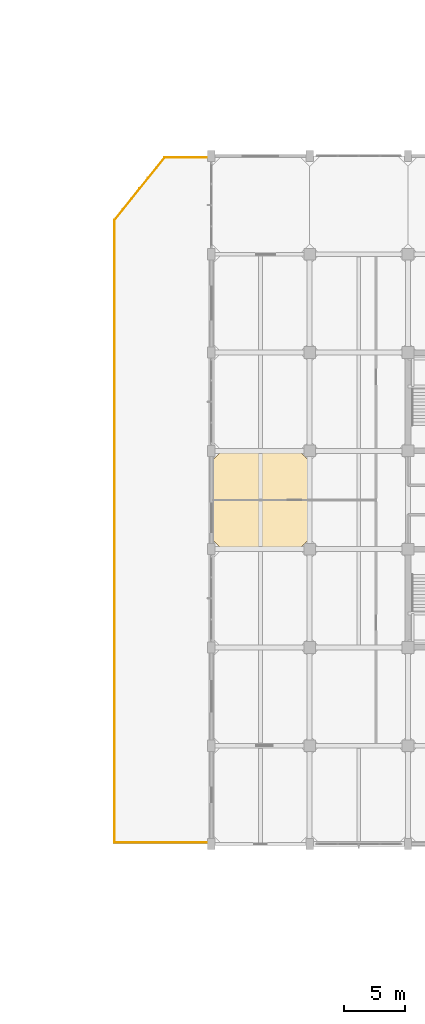
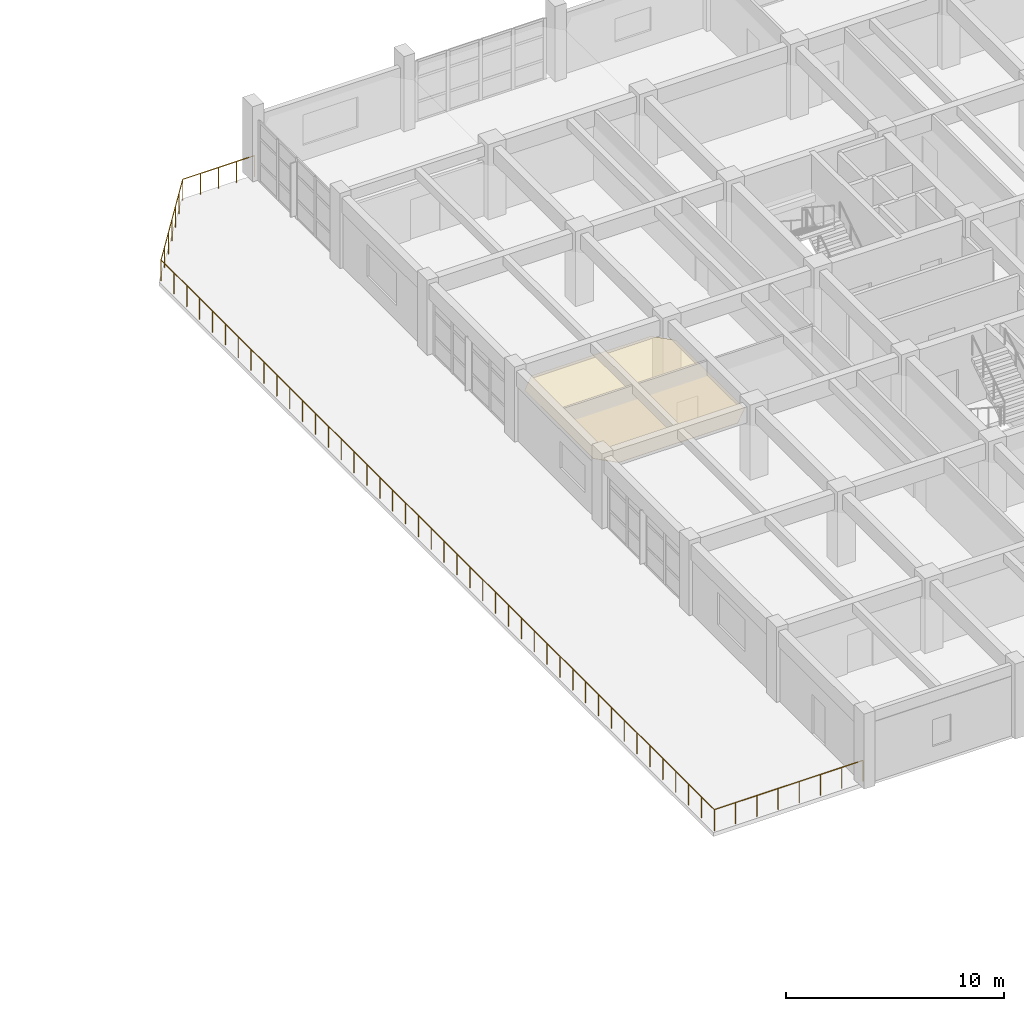
# One storey, part 31 of 35: 1 covering, 1 railing.
"""IFC4 building model written with IfcOpenShell, lengths in metres."""

from ifc_helpers import new_model, si_unit, direction, frame, origin, origin_2d, place, context, subcontext, project, spatial, polyline, circle, outline, extrude, material, layer, layer_set, type_object, element, save


model = new_model("IFC4")

# Units and contexts
model_context = context("Model", 3, precision=1e-05, world=origin(), true_north=direction((0.0, 1.0)))
body_context = subcontext(model_context, "Body", "Model", "MODEL_VIEW")
ifc_project = project(units=[si_unit("LENGTHUNIT", "METRE"), si_unit("AREAUNIT", "SQUARE_METRE"), si_unit("VOLUMEUNIT", "CUBIC_METRE"), si_unit("PLANEANGLEUNIT", "RADIAN"), si_unit("MASSUNIT", "GRAM", prefix="KILO")], contexts=[model_context])

# Site, building, storey
site_placement = place(None, origin())
site = spatial("IfcSite", under=ifc_project, at=site_placement, CompositionType="ELEMENT")
building_placement = place(site_placement, origin())
building = spatial("IfcBuilding", under=site, at=building_placement, Name="Canggui Botanical Conservatory", CompositionType="ELEMENT")
storey_placement = place(building_placement, frame((0.0, 0.0, 15.0)))
storey = spatial("IfcBuildingStorey", under=building, at=storey_placement, Name="L04", CompositionType="ELEMENT", Elevation=15.0)

# Covering
ifc_material_1 = material(Name="Perforated Gypsum Acoustic Panel")
ifc_layer = layer(ifc_material_1, 0.02001953125, Name="Perforated Gypsum Acoustic Panel")
ifc_layer_set = layer_set([ifc_layer], Name="Perforated Gypsum Acoustic Panel")
covering_type = type_object("IfcCoveringType", Name="COV-CEIL-20", PredefinedType="CEILING", material=ifc_layer_set)
covering_placement = place(storey_placement, frame((0.0, 0.0, 3.030029296875)))
element("IfcCovering", 1, at=covering_placement, inside=storey, type_object=covering_type, Name="Suspended Acoustic Ceiling L04-138-50", PredefinedType="CEILING", context=body_context, shape_type="SweptSolid", body=[
    extrude(outline(polyline([(138.85009765625, 50.0), (145.14990234375, 50.0), (146.0, 50.85009765625), (146.0, 57.14990234375), (145.14990234375, 58.0), (138.85009765625, 58.0), (138.0, 57.14990234375), (138.0, 50.85009765625), (138.85009765625, 50.0)])), origin(), (0.0, 0.0, 1.0), 0.02001953125),
])

# Railing
ifc_material_2 = material(Name="Laminated Safety Glass", Category="glass")
railing_type = type_object("IfcRailingType", Name="RAIL-TERR-1200", PredefinedType="BALUSTRADE", material=ifc_material_2)
railing_placement = place(storey_placement, frame((137.97998046875, 26.1201171875, 0.0)))
element("IfcRailing", 2, at=railing_placement, inside=storey, type_object=railing_type, Name="Sky Terrace Laminated Glass Balustrade L04", PredefinedType="BALUSTRADE", context=body_context, shape_type="SweptSolid", body=[
    extrude(circle(Radius=0.02392578125, at=origin_2d()), frame((0.0, 0.0, 1.17578125), z_axis=(-1.0, 0.0, 0.0), x_axis=(0.0, -1.0, 0.0)), (0.0, 0.0, 1.0), 7.85986328125),
    extrude(circle(Radius=0.02392578125, at=origin_2d()), frame((-7.85986328125, 0.0, 1.17578125), z_axis=(0.0, 1.0, 0.0), x_axis=(-1.0, 0.0, 0.0)), (0.0, 0.0, 1.0), 50.679931640625),
    extrude(circle(Radius=0.02392578125, at=origin_2d()), frame((-7.85986328125, 50.679931640625, 1.17578125), z_axis=(0.626188198729, 0.779671943687, 0.0), x_axis=(-0.779671943687, 0.626188198729, 0.0)), (0.0, 0.0, 1.0), 6.515380859375),
    extrude(circle(Radius=0.02392578125, at=origin_2d()), frame((-3.780029296875, 55.759765625, 1.17578125), z_axis=(1.0, 0.0, 0.0), x_axis=(0.0, 1.0, 0.0)), (0.0, 0.0, 1.0), 3.780029296875),
    extrude(circle(Radius=0.02099609375, at=origin_2d()), origin(), (0.0, 0.0, 1.0), 1.15185546875),
    extrude(circle(Radius=0.02099609375, at=origin_2d()), frame((-1.122802734375, 0.0, 0.0)), (0.0, 0.0, 1.0), 1.15185546875),
    extrude(circle(Radius=0.02099609375, at=origin_2d()), frame((-2.24560546875, 0.0, 0.0)), (0.0, 0.0, 1.0), 1.15185546875),
    extrude(circle(Radius=0.02099609375, at=origin_2d()), frame((-3.368408203125, 0.0, 0.0)), (0.0, 0.0, 1.0), 1.15185546875),
    extrude(circle(Radius=0.02099609375, at=origin_2d()), frame((-4.491455078125, 0.0, 0.0)), (0.0, 0.0, 1.0), 1.15185546875),
    extrude(circle(Radius=0.02099609375, at=origin_2d()), frame((-5.6142578125, 0.0, 0.0)), (0.0, 0.0, 1.0), 1.15185546875),
    extrude(circle(Radius=0.02099609375, at=origin_2d()), frame((-6.737060546875, 0.0, 0.0)), (0.0, 0.0, 1.0), 1.15185546875),
    extrude(circle(Radius=0.02099609375, at=origin_2d()), frame((-7.85986328125, 0.0, 0.0)), (0.0, 0.0, 1.0), 1.15185546875),
    extrude(circle(Radius=0.02099609375, at=origin_2d()), frame((-7.85986328125, 1.1787109375, 0.0)), (0.0, 0.0, 1.0), 1.15185546875),
    extrude(circle(Radius=0.02099609375, at=origin_2d()), frame((-7.85986328125, 2.357177734375, 0.0)), (0.0, 0.0, 1.0), 1.15185546875),
    extrude(circle(Radius=0.02099609375, at=origin_2d()), frame((-7.85986328125, 3.535888671875, 0.0)), (0.0, 0.0, 1.0), 1.15185546875),
    extrude(circle(Radius=0.02099609375, at=origin_2d()), frame((-7.85986328125, 4.71435546875, 0.0)), (0.0, 0.0, 1.0), 1.15185546875),
    extrude(circle(Radius=0.02099609375, at=origin_2d()), frame((-7.85986328125, 5.89306640625, 0.0)), (0.0, 0.0, 1.0), 1.15185546875),
    extrude(circle(Radius=0.02099609375, at=origin_2d()), frame((-7.85986328125, 7.071533203125, 0.0)), (0.0, 0.0, 1.0), 1.15185546875),
    extrude(circle(Radius=0.02099609375, at=origin_2d()), frame((-7.85986328125, 8.250244140625, 0.0)), (0.0, 0.0, 1.0), 1.15185546875),
    extrude(circle(Radius=0.02099609375, at=origin_2d()), frame((-7.85986328125, 9.4287109375, 0.0)), (0.0, 0.0, 1.0), 1.15185546875),
    extrude(circle(Radius=0.02099609375, at=origin_2d()), frame((-7.85986328125, 10.607421875, 0.0)), (0.0, 0.0, 1.0), 1.15185546875),
    extrude(circle(Radius=0.02099609375, at=origin_2d()), frame((-7.85986328125, 11.7861328125, 0.0)), (0.0, 0.0, 1.0), 1.15185546875),
    extrude(circle(Radius=0.02099609375, at=origin_2d()), frame((-7.85986328125, 12.964599609375, 0.0)), (0.0, 0.0, 1.0), 1.15185546875),
    extrude(circle(Radius=0.02099609375, at=origin_2d()), frame((-7.85986328125, 14.143310546875, 0.0)), (0.0, 0.0, 1.0), 1.15185546875),
    extrude(circle(Radius=0.02099609375, at=origin_2d()), frame((-7.85986328125, 15.32177734375, 0.0)), (0.0, 0.0, 1.0), 1.15185546875),
    extrude(circle(Radius=0.02099609375, at=origin_2d()), frame((-7.85986328125, 16.50048828125, 0.0)), (0.0, 0.0, 1.0), 1.15185546875),
    extrude(circle(Radius=0.02099609375, at=origin_2d()), frame((-7.85986328125, 17.678955078125, 0.0)), (0.0, 0.0, 1.0), 1.15185546875),
    extrude(circle(Radius=0.02099609375, at=origin_2d()), frame((-7.85986328125, 18.857666015625, 0.0)), (0.0, 0.0, 1.0), 1.15185546875),
    extrude(circle(Radius=0.02099609375, at=origin_2d()), frame((-7.85986328125, 20.0361328125, 0.0)), (0.0, 0.0, 1.0), 1.15185546875),
    extrude(circle(Radius=0.02099609375, at=origin_2d()), frame((-7.85986328125, 21.21484375, 0.0)), (0.0, 0.0, 1.0), 1.15185546875),
    extrude(circle(Radius=0.02099609375, at=origin_2d()), frame((-7.85986328125, 22.3935546875, 0.0)), (0.0, 0.0, 1.0), 1.15185546875),
    extrude(circle(Radius=0.02099609375, at=origin_2d()), frame((-7.85986328125, 23.572021484375, 0.0)), (0.0, 0.0, 1.0), 1.15185546875),
    extrude(circle(Radius=0.02099609375, at=origin_2d()), frame((-7.85986328125, 24.750732421875, 0.0)), (0.0, 0.0, 1.0), 1.15185546875),
    extrude(circle(Radius=0.02099609375, at=origin_2d()), frame((-7.85986328125, 25.92919921875, 0.0)), (0.0, 0.0, 1.0), 1.15185546875),
    extrude(circle(Radius=0.02099609375, at=origin_2d()), frame((-7.85986328125, 27.10791015625, 0.0)), (0.0, 0.0, 1.0), 1.15185546875),
    extrude(circle(Radius=0.02099609375, at=origin_2d()), frame((-7.85986328125, 28.286376953125, 0.0)), (0.0, 0.0, 1.0), 1.15185546875),
    extrude(circle(Radius=0.02099609375, at=origin_2d()), frame((-7.85986328125, 29.465087890625, 0.0)), (0.0, 0.0, 1.0), 1.15185546875),
    extrude(circle(Radius=0.02099609375, at=origin_2d()), frame((-7.85986328125, 30.643798828125, 0.0)), (0.0, 0.0, 1.0), 1.15185546875),
    extrude(circle(Radius=0.02099609375, at=origin_2d()), frame((-7.85986328125, 31.822265625, 0.0)), (0.0, 0.0, 1.0), 1.15185546875),
    extrude(circle(Radius=0.02099609375, at=origin_2d()), frame((-7.85986328125, 33.0009765625, 0.0)), (0.0, 0.0, 1.0), 1.15185546875),
    extrude(circle(Radius=0.02099609375, at=origin_2d()), frame((-7.85986328125, 34.179443359375, 0.0)), (0.0, 0.0, 1.0), 1.15185546875),
    extrude(circle(Radius=0.02099609375, at=origin_2d()), frame((-7.85986328125, 35.358154296875, 0.0)), (0.0, 0.0, 1.0), 1.15185546875),
    extrude(circle(Radius=0.02099609375, at=origin_2d()), frame((-7.85986328125, 36.53662109375, 0.0)), (0.0, 0.0, 1.0), 1.15185546875),
    extrude(circle(Radius=0.02099609375, at=origin_2d()), frame((-7.85986328125, 37.71533203125, 0.0)), (0.0, 0.0, 1.0), 1.15185546875),
    extrude(circle(Radius=0.02099609375, at=origin_2d()), frame((-7.85986328125, 38.893798828125, 0.0)), (0.0, 0.0, 1.0), 1.15185546875),
    extrude(circle(Radius=0.02099609375, at=origin_2d()), frame((-7.85986328125, 40.072509765625, 0.0)), (0.0, 0.0, 1.0), 1.15185546875),
    extrude(circle(Radius=0.02099609375, at=origin_2d()), frame((-7.85986328125, 41.251220703125, 0.0)), (0.0, 0.0, 1.0), 1.15185546875),
    extrude(circle(Radius=0.02099609375, at=origin_2d()), frame((-7.85986328125, 42.4296875, 0.0)), (0.0, 0.0, 1.0), 1.15185546875),
    extrude(circle(Radius=0.02099609375, at=origin_2d()), frame((-7.85986328125, 43.6083984375, 0.0)), (0.0, 0.0, 1.0), 1.15185546875),
    extrude(circle(Radius=0.02099609375, at=origin_2d()), frame((-7.85986328125, 44.786865234375, 0.0)), (0.0, 0.0, 1.0), 1.15185546875),
    extrude(circle(Radius=0.02099609375, at=origin_2d()), frame((-7.85986328125, 45.965576171875, 0.0)), (0.0, 0.0, 1.0), 1.15185546875),
    extrude(circle(Radius=0.02099609375, at=origin_2d()), frame((-7.85986328125, 47.14404296875, 0.0)), (0.0, 0.0, 1.0), 1.15185546875),
    extrude(circle(Radius=0.02099609375, at=origin_2d()), frame((-7.85986328125, 48.32275390625, 0.0)), (0.0, 0.0, 1.0), 1.15185546875),
    extrude(circle(Radius=0.02099609375, at=origin_2d()), frame((-7.85986328125, 49.501220703125, 0.0)), (0.0, 0.0, 1.0), 1.15185546875),
    extrude(circle(Radius=0.02099609375, at=origin_2d()), frame((-7.85986328125, 50.679931640625, 0.0)), (0.0, 0.0, 1.0), 1.15185546875),
    extrude(circle(Radius=0.02099609375, at=origin_2d()), frame((-7.179931640625, 51.526611328125, 0.0)), (0.0, 0.0, 1.0), 1.15185546875),
    extrude(circle(Radius=0.02099609375, at=origin_2d()), frame((-6.5, 52.373291015625, 0.0)), (0.0, 0.0, 1.0), 1.15185546875),
    extrude(circle(Radius=0.02099609375, at=origin_2d()), frame((-5.81982421875, 53.2197265625, 0.0)), (0.0, 0.0, 1.0), 1.15185546875),
    extrude(circle(Radius=0.02099609375, at=origin_2d()), frame((-5.139892578125, 54.06640625, 0.0)), (0.0, 0.0, 1.0), 1.15185546875),
    extrude(circle(Radius=0.02099609375, at=origin_2d()), frame((-4.4599609375, 54.9130859375, 0.0)), (0.0, 0.0, 1.0), 1.15185546875),
    extrude(circle(Radius=0.02099609375, at=origin_2d()), frame((-3.780029296875, 55.759765625, 0.0)), (0.0, 0.0, 1.0), 1.15185546875),
    extrude(circle(Radius=0.02099609375, at=origin_2d()), frame((-2.8349609375, 55.759765625, 0.0)), (0.0, 0.0, 1.0), 1.15185546875),
    extrude(circle(Radius=0.02099609375, at=origin_2d()), frame((-1.89013671875, 55.759765625, 0.0)), (0.0, 0.0, 1.0), 1.15185546875),
    extrude(circle(Radius=0.02099609375, at=origin_2d()), frame((-0.945068359375, 55.759765625, 0.0)), (0.0, 0.0, 1.0), 1.15185546875),
    extrude(circle(Radius=0.02099609375, at=origin_2d()), frame((0.0, 55.759765625, 0.0)), (0.0, 0.0, 1.0), 1.15185546875),
])

save(model, "model.ifc")
